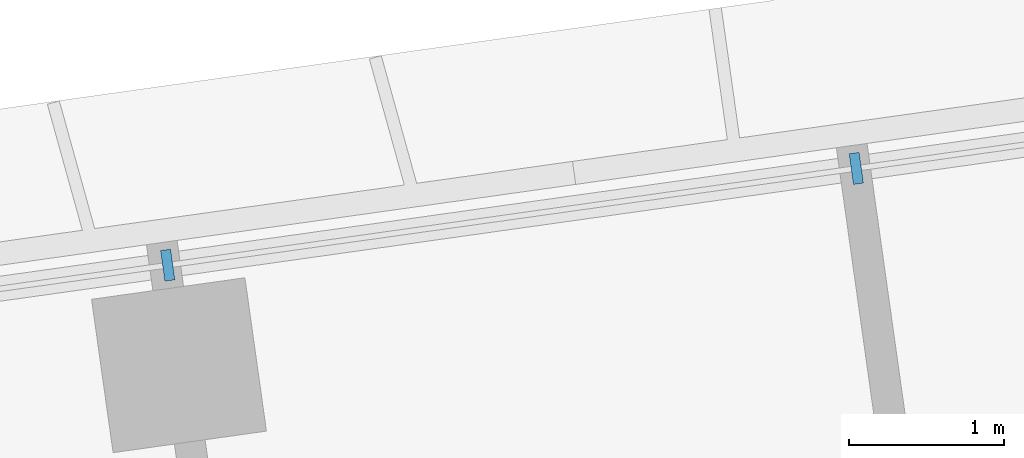
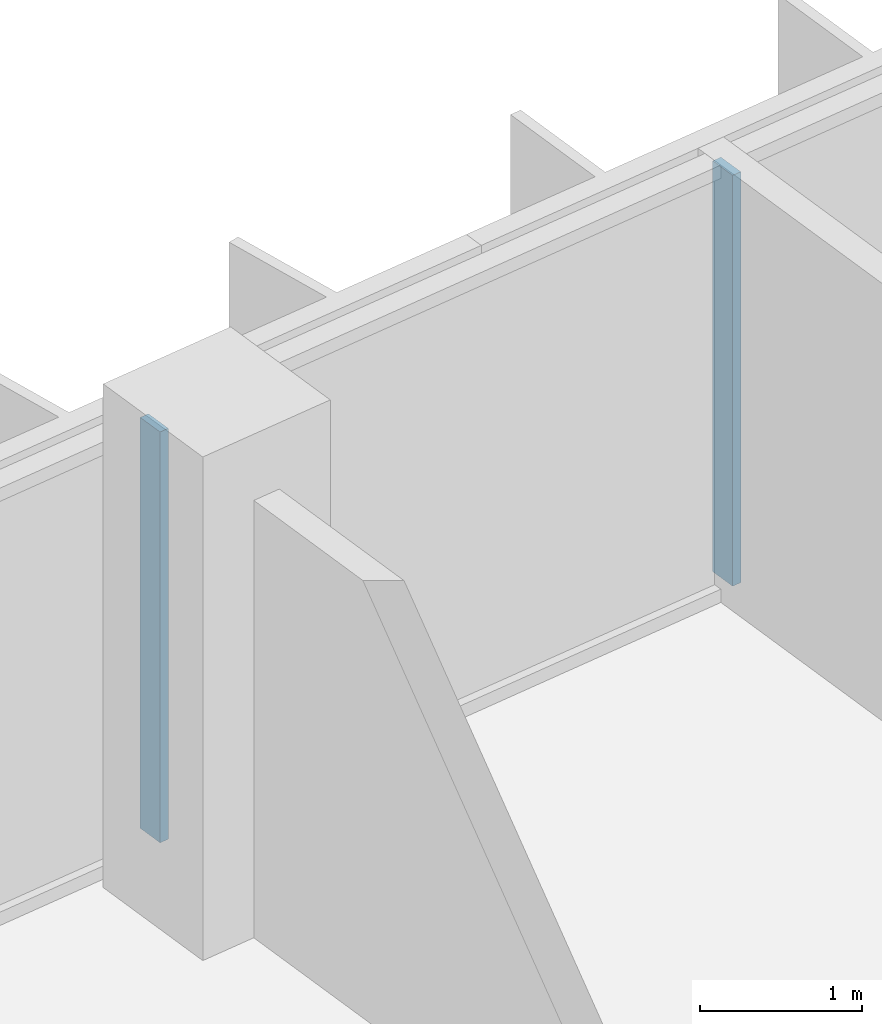
# One storey, part 8 of 24: 2 members, 1 element without a shape of its own.
"""IFC4 building model written with IfcOpenShell, lengths in metres."""

from ifc_helpers import new_model, si_unit, direction, frame, origin, origin_2d, place, context, subcontext, project, spatial, rectangle, extrude, material, material_profile, profile_set, type_object, element, aggregate, save


model = new_model("IFC4")

# Units and contexts
model_context = context("Model", 3, precision=1e-05, world=origin(), true_north=direction((0.0, 1.0)))
body_context = subcontext(model_context, "Body", "Model", "MODEL_VIEW")
ifc_project = project(units=[si_unit("LENGTHUNIT", "METRE"), si_unit("AREAUNIT", "SQUARE_METRE"), si_unit("VOLUMEUNIT", "CUBIC_METRE"), si_unit("PLANEANGLEUNIT", "RADIAN"), si_unit("MASSUNIT", "GRAM", prefix="KILO")], contexts=[model_context])

# Site, building, storey
site_placement = place(None, origin())
site = spatial("IfcSite", under=ifc_project, at=site_placement, CompositionType="ELEMENT")
building_placement = place(site_placement, origin())
building = spatial("IfcBuilding", under=site, at=building_placement, Name="Mirante Cascada Hotel Towers", CompositionType="ELEMENT")
storey_placement = place(building_placement, frame((0.0, 0.0, 88.9)))
storey = spatial("IfcBuildingStorey", under=building, at=storey_placement, Name="L19", CompositionType="ELEMENT", Elevation=88.9)

# Curtain wall, members
ifc_material_1 = material(Name="Aluminium mullion and transom frame with clear laminated glass", Category="aluminium")
curtain_wall_type = type_object("IfcCurtainWallType", Name="Ribbon curtain wall ECW1", PredefinedType="NOTDEFINED", material=ifc_material_1)
curtain_wall_placement = place(storey_placement, origin())
curtain_wall = element("IfcCurtainWall", 1, at=curtain_wall_placement, inside=storey, type_object=curtain_wall_type, Name="Front ribbon wall T2 L19", PredefinedType="NOTDEFINED")
ifc_material_2 = material(Name="Anodised aluminium extrusion", Category="aluminium")
ifc_material_profile = material_profile(ifc_material_2, rectangle(XDim=0.2, YDim=0.065, at=origin_2d()), Name="ECW1 MULLION 65x200")
ifc_profile_set = profile_set([ifc_material_profile], Name="Anodised aluminium extrusion")
member_type = type_object("IfcMemberType", Name="ECW1 mullion 65x200", PredefinedType="MULLION", material=ifc_profile_set)
member_1_placement = place(storey_placement, frame((58.5788, 21.0517, 0.1), z_axis=(0.0, 0.0, 1.0), x_axis=(0.1391731, -0.9902681, 0.0)))
member_1 = element("IfcMember", 2, at=member_1_placement, type_object=member_type, Name="ECW1 mullion 9", PredefinedType="MULLION", context=body_context, shape_type="SweptSolid", body=[
    extrude(rectangle(XDim=0.2, YDim=0.065, at=origin_2d()), origin(), (0.0, 0.0, 1.0), 3.1),
])
member_2_placement = place(storey_placement, frame((54.1314, 20.4267, 0.1), z_axis=(0.0, 0.0, 1.0), x_axis=(0.1391731, -0.9902681, 0.0)))
member_2 = element("IfcMember", 3, at=member_2_placement, type_object=member_type, Name="ECW1 mullion 10", PredefinedType="MULLION", context=body_context, shape_type="SweptSolid", body=[
    extrude(rectangle(XDim=0.2, YDim=0.065, at=origin_2d()), origin(), (0.0, 0.0, 1.0), 3.1),
])
aggregate(curtain_wall, [member_1, member_2])

save(model, "model.ifc")
